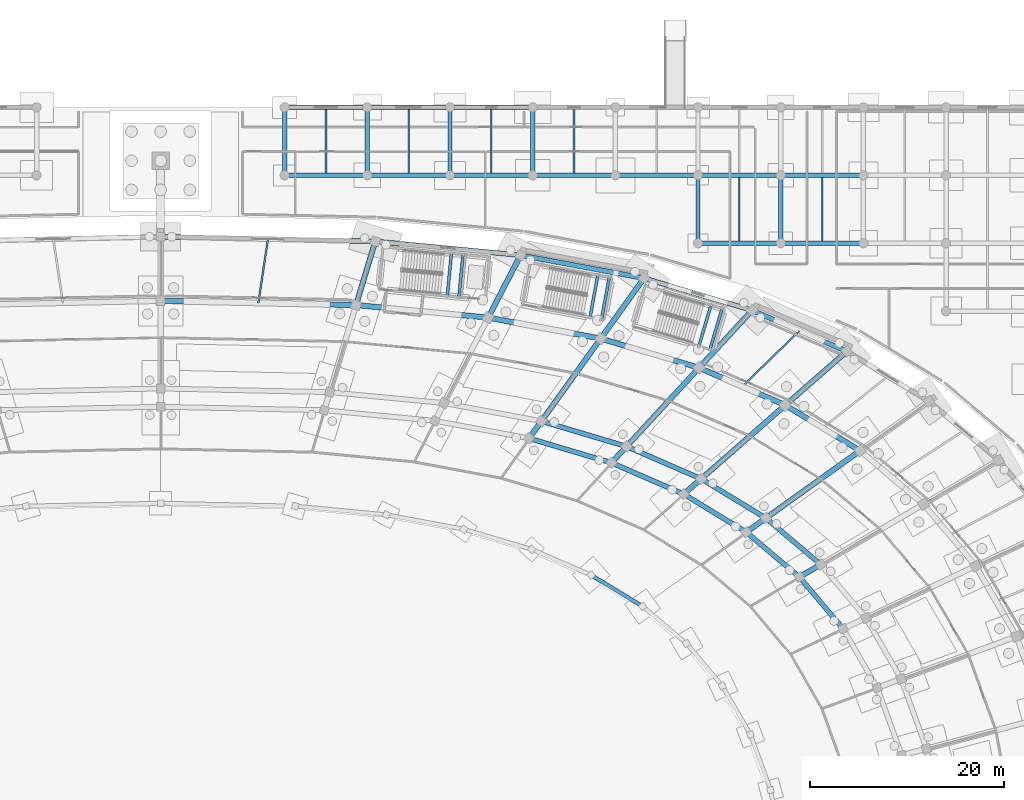
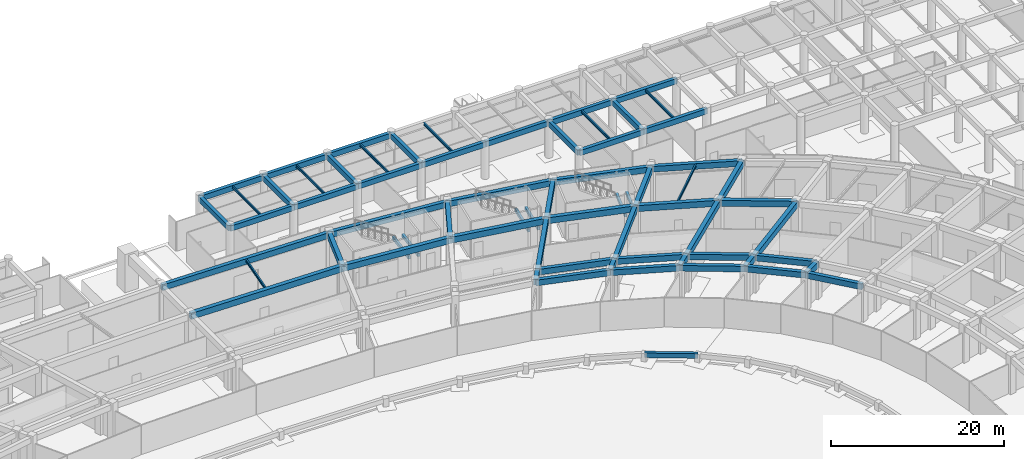
# One storey, part 36 of 88: 67 beams.
"""IFC4 building model written with IfcOpenShell, lengths in metres."""

from ifc_helpers import new_model, si_unit, direction, frame, origin, origin_2d, place, context, subcontext, project, spatial, rectangle, i_section, extrude, material, material_profile, profile_set, type_object, element, save


model = new_model("IFC4")

# Units and contexts
model_context = context("Model", 3, precision=1e-05, world=origin(), true_north=direction((0.0, 1.0)))
body_context = subcontext(model_context, "Body", "Model", "MODEL_VIEW")
ifc_project = project(units=[si_unit("LENGTHUNIT", "METRE"), si_unit("AREAUNIT", "SQUARE_METRE"), si_unit("VOLUMEUNIT", "CUBIC_METRE"), si_unit("PLANEANGLEUNIT", "RADIAN"), si_unit("MASSUNIT", "GRAM", prefix="KILO")], contexts=[model_context])

# Site, building, storey
site_placement = place(None, origin())
site = spatial("IfcSite", under=ifc_project, at=site_placement, CompositionType="ELEMENT")
building_placement = place(site_placement, origin())
building = spatial("IfcBuilding", under=site, at=building_placement, Name="Mphavela Belvedere Stadium", CompositionType="ELEMENT")
storey_placement = place(building_placement, origin())
storey = spatial("IfcBuildingStorey", under=building, at=storey_placement, Name="L00", CompositionType="ELEMENT", Elevation=0.0)

# Beams
ifc_material_1 = material(Name="Steel S355", Category="steel")
ifc_material_profile_1 = material_profile(ifc_material_1, i_section(OverallWidth=0.169921875, OverallDepth=0.360107421875, WebThickness=0.008056640625, FlangeThickness=0.0126953125, at=origin_2d()), Name="IPE 360")
ifc_profile_set_1 = profile_set([ifc_material_profile_1], Name="Steel S355")
beam_type_1 = type_object("IfcBeamType", Name="BM-JOIST-IPE360", PredefinedType="JOIST", material=ifc_profile_set_1)
for number, where, z_axis, x_axis, name in (
    (1, (132.037109375, 167.22509765625, 4.9599609375), (0.0, 1.0, 0.0), (-1.0, 0.0, 0.0), "North Mast and Ceremonial End Forecourt secondary joist L00 16-7"),
    (2, (140.555419921875, 167.22509765625, 4.9599609375), (0.0, 1.0, 0.0), (-1.0, 0.0, 0.0), "North Mast and Ceremonial End Forecourt secondary joist L00 17-7"),
    (3, (149.073974609375, 167.22509765625, 4.9599609375), (0.0, 1.0, 0.0), (-1.0, 0.0, 0.0), "North Mast and Ceremonial End Forecourt secondary joist L00 18-7"),
    (4, (157.592529296875, 167.22509765625, 4.9599609375), (0.0, 1.0, 0.0), (-1.0, 0.0, 0.0), "North Mast and Ceremonial End Forecourt secondary joist L00 19-7"),
    (5, (174.62939453125, 160.22509765625, 4.9599609375), (0.0, 1.0, 0.0), (-1.0, 0.0, 0.0), "North Mast and Ceremonial End Forecourt secondary joist L00 21-6"),
    (6, (183.14794921875, 160.22509765625, 4.9599609375), (0.0, 1.0, 0.0), (-1.0, 0.0, 0.0), "North Mast and Ceremonial End Forecourt secondary joist L00 22-6"),
):
    element("IfcBeam", number, at=place(storey_placement, frame(where, z_axis=z_axis, x_axis=x_axis)), inside=storey, type_object=beam_type_1, Name=name, PredefinedType="JOIST", context=body_context, shape_type="SweptSolid", body=[
        extrude(i_section(OverallWidth=0.169921875, OverallDepth=0.360107421875, WebThickness=0.008056640625, FlangeThickness=0.0126953125, at=origin_2d()), origin(), (0.0, 0.0, 1.0), 6.5498046875),
    ])
ifc_material_2 = material(Name="Steel S355", Category="steel")
ifc_material_profile_2 = material_profile(ifc_material_2, i_section(OverallWidth=0.179931640625, OverallDepth=0.39990234375, WebThickness=0.008544921875, FlangeThickness=0.013427734375, at=origin_2d()), Name="IPE 400")
ifc_profile_set_2 = profile_set([ifc_material_profile_2], Name="Steel S355")
beam_type_2 = type_object("IfcBeamType", Name="BM-JOIST-IPE400", PredefinedType="JOIST", material=ifc_profile_set_2)
beam_1_placement = place(storey_placement, frame((174.918212890625, 145.242431640625, 4.949951171875), z_axis=(0.717067022089, 0.697004222249, 0.0), x_axis=(-0.697004222249, 0.717067022089, 0.0)))
element("IfcBeam", 7, at=beam_1_placement, inside=storey, type_object=beam_type_2, Name="Concourse floor joist L00-08", PredefinedType="JOIST", context=body_context, shape_type="SweptSolid", body=[
    extrude(i_section(OverallWidth=0.179931640625, OverallDepth=0.39990234375, WebThickness=0.008544921875, FlangeThickness=0.013427734375, at=origin_2d()), origin(), (0.0, 0.0, 1.0), 8.22607421875),
])
beam_2_placement = place(storey_placement, frame((125.06640625, 153.850830078125, 4.949951171875), z_axis=(0.148900105887, 0.98885224299, 0.0), x_axis=(-0.98885224299, 0.148900105887, 0.0)))
element("IfcBeam", 8, at=beam_2_placement, inside=storey, type_object=beam_type_2, Name="Concourse floor joist L00-12", PredefinedType="JOIST", context=body_context, shape_type="SweptSolid", body=[
    extrude(i_section(OverallWidth=0.179931640625, OverallDepth=0.39990234375, WebThickness=0.008544921875, FlangeThickness=0.013427734375, at=origin_2d()), origin(), (0.0, 0.0, 1.0), 6.6552734375),
])
ifc_material_3 = material(Name="Concrete C40/50", Category="concrete")
ifc_material_profile_3 = material_profile(ifc_material_3, rectangle(XDim=0.300048828125, YDim=0.449951171875, at=origin_2d()), Name="RC 300x450")
ifc_profile_set_3 = profile_set([ifc_material_profile_3], Name="Concrete C40/50")
beam_type_3 = type_object("IfcBeamType", Name="BM-RC300x450", PredefinedType="BEAM", material=ifc_profile_set_3)
beam_3_placement = place(storey_placement, frame((144.53515625, 154.541259765625, 2.27490234375), z_axis=(0.094981784239, 0.995479010659, 0.0), x_axis=(-0.995479010659, 0.094981784239, 0.0)))
element("IfcBeam", 9, at=beam_3_placement, inside=storey, type_object=beam_type_3, Name="Core C03 landing trimmer beam L00-1", PredefinedType="BEAM", context=body_context, shape_type="SweptSolid", body=[
    extrude(rectangle(XDim=0.300048828125, YDim=0.449951171875, at=origin_2d()), origin(), (0.0, 0.0, 1.0), 4.469970703125),
])
for number, where, z_axis, x_axis, name in (
    (10, (145.729736328125, 154.42724609375, 2.27490234375), (0.094976620198, 0.995479503363, 0.0), (-0.995479503363, 0.094976620198, 0.0), "Core C03 landing trimmer beam L00-2"),
    (11, (170.44189453125, 149.372802734375, 2.27490234375), (0.28454574359, 0.95866246396, 0.0), (-0.95866246396, 0.28454574359, 0.0), "Core P01 landing trimmer beam L00-1"),
):
    element("IfcBeam", number, at=place(storey_placement, frame(where, z_axis=z_axis, x_axis=x_axis)), inside=storey, type_object=beam_type_3, Name=name, PredefinedType="BEAM", context=body_context, shape_type="SweptSolid", body=[
        extrude(rectangle(XDim=0.300048828125, YDim=0.449951171875, at=origin_2d()), origin(), (0.0, 0.0, 1.0), 4.47021484375),
    ])
for number, where, z_axis, x_axis, name in (
    (12, (171.59228515625, 149.031494140625, 2.27490234375), (0.28456064248, 0.958658041614, 0.0), (-0.958658041614, 0.28456064248, 0.0), "Core P01 landing trimmer beam L00-2"),
    (13, (159.233154296875, 152.34033203125, 2.27490234375), (0.183137493709, 0.983087309652, 0.0), (-0.983087309652, 0.183137493709, 0.0), "Core P02 landing trimmer beam L00-1"),
):
    element("IfcBeam", number, at=place(storey_placement, frame(where, z_axis=z_axis, x_axis=x_axis)), inside=storey, type_object=beam_type_3, Name=name, PredefinedType="BEAM", context=body_context, shape_type="SweptSolid", body=[
        extrude(rectangle(XDim=0.300048828125, YDim=0.449951171875, at=origin_2d()), origin(), (0.0, 0.0, 1.0), 4.469970703125),
    ])
beam_4_placement = place(storey_placement, frame((160.4130859375, 152.12060546875, 2.27490234375), z_axis=(0.183084705806, 0.983097141945, 0.0), x_axis=(-0.983097141945, 0.183084705806, 0.0)))
element("IfcBeam", 14, at=beam_4_placement, inside=storey, type_object=beam_type_3, Name="Core P02 landing trimmer beam L00-2", PredefinedType="BEAM", context=body_context, shape_type="SweptSolid", body=[
    extrude(rectangle(XDim=0.300048828125, YDim=0.449951171875, at=origin_2d()), origin(), (0.0, 0.0, 1.0), 4.4697265625),
])
ifc_material_4 = material(Name="Concrete C40/50", Category="concrete")
ifc_material_profile_4 = material_profile(ifc_material_4, rectangle(XDim=0.39990234375, YDim=0.64990234375, at=origin_2d()), Name="RC 400x650")
ifc_profile_set_4 = profile_set([ifc_material_profile_4], Name="Concrete C40/50")
beam_type_4 = type_object("IfcBeamType", Name="BM-RC400x650", PredefinedType="BEAM", material=ifc_profile_set_4)
beam_5_placement = place(storey_placement, frame((164.658935546875, 122.580322265625, 0.824951171875), z_axis=(-0.854317681937, 0.519751188868, 0.0), x_axis=(-0.519751188868, -0.854317681937, 0.0)))
element("IfcBeam", 15, at=beam_5_placement, inside=storey, type_object=beam_type_4, Name="Lower tier plinth ring beam 07", PredefinedType="BEAM", context=body_context, shape_type="SweptSolid", body=[
    extrude(rectangle(XDim=0.39990234375, YDim=0.64990234375, at=origin_2d()), origin(), (0.0, 0.0, 1.0), 6.212158203125),
])
ifc_material_5 = material(Name="Concrete C40/50", Category="concrete")
ifc_material_profile_5 = material_profile(ifc_material_5, rectangle(XDim=0.449951171875, YDim=0.75, at=origin_2d()), Name="RC 450x750")
ifc_profile_set_5 = profile_set([ifc_material_profile_5], Name="Concrete C40/50")
beam_type_5 = type_object("IfcBeamType", Name="BM-RC450x750", PredefinedType="BEAM", material=ifc_profile_set_5)
beam_6_placement = place(storey_placement, frame((127.778076171875, 167.0, 4.764892578125), z_axis=(1.0, 0.0, 0.0), x_axis=(0.0, 1.0, 0.0)))
element("IfcBeam", 16, at=beam_6_placement, inside=storey, type_object=beam_type_5, Name="North Mast and Ceremonial End Forecourt entablature beam X L00 16-7", PredefinedType="BEAM", context=body_context, shape_type="SweptSolid", body=[
    extrude(rectangle(XDim=0.449951171875, YDim=0.75, at=origin_2d()), origin(), (0.0, 0.0, 1.0), 8.517822265625),
])
beam_7_placement = place(storey_placement, frame((127.778076171875, 167.0, 4.764892578125), z_axis=(0.0, 1.0, 0.0), x_axis=(-1.0, 0.0, 0.0)))
element("IfcBeam", 17, at=beam_7_placement, inside=storey, type_object=beam_type_5, Name="North Mast and Ceremonial End Forecourt entablature beam Y L00 16-7", PredefinedType="BEAM", context=body_context, shape_type="SweptSolid", body=[
    extrude(rectangle(XDim=0.449951171875, YDim=0.75, at=origin_2d()), origin(), (0.0, 0.0, 1.0), 7.0),
])
beam_8_placement = place(storey_placement, frame((127.778076171875, 174.0, 4.764892578125), z_axis=(1.0, 0.0, 0.0), x_axis=(0.0, 1.0, 0.0)))
element("IfcBeam", 18, at=beam_8_placement, inside=storey, type_object=beam_type_5, Name="North Mast and Ceremonial End Forecourt entablature beam X L00 16-8", PredefinedType="BEAM", context=body_context, shape_type="SweptSolid", body=[
    extrude(rectangle(XDim=0.449951171875, YDim=0.75, at=origin_2d()), origin(), (0.0, 0.0, 1.0), 8.517822265625),
])
beam_9_placement = place(storey_placement, frame((136.2958984375, 167.0, 4.764892578125), z_axis=(1.0, 0.0, 0.0), x_axis=(0.0, 1.0, 0.0)))
element("IfcBeam", 19, at=beam_9_placement, inside=storey, type_object=beam_type_5, Name="North Mast and Ceremonial End Forecourt entablature beam X L00 17-7", PredefinedType="BEAM", context=body_context, shape_type="SweptSolid", body=[
    extrude(rectangle(XDim=0.449951171875, YDim=0.75, at=origin_2d()), origin(), (0.0, 0.0, 1.0), 8.51904296875),
])
beam_10_placement = place(storey_placement, frame((136.2958984375, 167.0, 4.764892578125), z_axis=(0.0, 1.0, 0.0), x_axis=(-1.0, 0.0, 0.0)))
element("IfcBeam", 20, at=beam_10_placement, inside=storey, type_object=beam_type_5, Name="North Mast and Ceremonial End Forecourt entablature beam Y L00 17-7", PredefinedType="BEAM", context=body_context, shape_type="SweptSolid", body=[
    extrude(rectangle(XDim=0.449951171875, YDim=0.75, at=origin_2d()), origin(), (0.0, 0.0, 1.0), 7.0),
])
beam_11_placement = place(storey_placement, frame((136.2958984375, 174.0, 4.764892578125), z_axis=(1.0, 0.0, 0.0), x_axis=(0.0, 1.0, 0.0)))
element("IfcBeam", 21, at=beam_11_placement, inside=storey, type_object=beam_type_5, Name="North Mast and Ceremonial End Forecourt entablature beam X L00 17-8", PredefinedType="BEAM", context=body_context, shape_type="SweptSolid", body=[
    extrude(rectangle(XDim=0.449951171875, YDim=0.75, at=origin_2d()), origin(), (0.0, 0.0, 1.0), 8.51904296875),
])
beam_12_placement = place(storey_placement, frame((144.81494140625, 167.0, 4.764892578125), z_axis=(1.0, 0.0, 0.0), x_axis=(0.0, 1.0, 0.0)))
element("IfcBeam", 22, at=beam_12_placement, inside=storey, type_object=beam_type_5, Name="North Mast and Ceremonial End Forecourt entablature beam X L00 18-7", PredefinedType="BEAM", context=body_context, shape_type="SweptSolid", body=[
    extrude(rectangle(XDim=0.449951171875, YDim=0.75, at=origin_2d()), origin(), (0.0, 0.0, 1.0), 8.51806640625),
])
beam_13_placement = place(storey_placement, frame((144.81494140625, 167.0, 4.764892578125), z_axis=(0.0, 1.0, 0.0), x_axis=(-1.0, 0.0, 0.0)))
element("IfcBeam", 23, at=beam_13_placement, inside=storey, type_object=beam_type_5, Name="North Mast and Ceremonial End Forecourt entablature beam Y L00 18-7", PredefinedType="BEAM", context=body_context, shape_type="SweptSolid", body=[
    extrude(rectangle(XDim=0.449951171875, YDim=0.75, at=origin_2d()), origin(), (0.0, 0.0, 1.0), 7.0),
])
beam_14_placement = place(storey_placement, frame((144.81494140625, 174.0, 4.764892578125), z_axis=(1.0, 0.0, 0.0), x_axis=(0.0, 1.0, 0.0)))
element("IfcBeam", 24, at=beam_14_placement, inside=storey, type_object=beam_type_5, Name="North Mast and Ceremonial End Forecourt entablature beam X L00 18-8", PredefinedType="BEAM", context=body_context, shape_type="SweptSolid", body=[
    extrude(rectangle(XDim=0.449951171875, YDim=0.75, at=origin_2d()), origin(), (0.0, 0.0, 1.0), 8.51806640625),
])
beam_15_placement = place(storey_placement, frame((153.3330078125, 167.0, 4.764892578125), z_axis=(1.0, 0.0, 0.0), x_axis=(0.0, 1.0, 0.0)))
element("IfcBeam", 25, at=beam_15_placement, inside=storey, type_object=beam_type_5, Name="North Mast and Ceremonial End Forecourt entablature beam X L00 19-7", PredefinedType="BEAM", context=body_context, shape_type="SweptSolid", body=[
    extrude(rectangle(XDim=0.449951171875, YDim=0.75, at=origin_2d()), origin(), (0.0, 0.0, 1.0), 8.51904296875),
])
beam_16_placement = place(storey_placement, frame((153.3330078125, 167.0, 4.764892578125), z_axis=(0.0, 1.0, 0.0), x_axis=(-1.0, 0.0, 0.0)))
element("IfcBeam", 26, at=beam_16_placement, inside=storey, type_object=beam_type_5, Name="North Mast and Ceremonial End Forecourt entablature beam Y L00 19-7", PredefinedType="BEAM", context=body_context, shape_type="SweptSolid", body=[
    extrude(rectangle(XDim=0.449951171875, YDim=0.75, at=origin_2d()), origin(), (0.0, 0.0, 1.0), 7.0),
])
beam_17_placement = place(storey_placement, frame((161.85205078125, 167.0, 4.764892578125), z_axis=(1.0, 0.0, 0.0), x_axis=(0.0, 1.0, 0.0)))
element("IfcBeam", 27, at=beam_17_placement, inside=storey, type_object=beam_type_5, Name="North Mast and Ceremonial End Forecourt entablature beam X L00 20-7", PredefinedType="BEAM", context=body_context, shape_type="SweptSolid", body=[
    extrude(rectangle(XDim=0.449951171875, YDim=0.75, at=origin_2d()), origin(), (0.0, 0.0, 1.0), 8.51806640625),
])
beam_18_placement = place(storey_placement, frame((170.3701171875, 160.0, 4.764892578125), z_axis=(1.0, 0.0, 0.0), x_axis=(0.0, 1.0, 0.0)))
element("IfcBeam", 28, at=beam_18_placement, inside=storey, type_object=beam_type_5, Name="North Mast and Ceremonial End Forecourt entablature beam X L00 21-6", PredefinedType="BEAM", context=body_context, shape_type="SweptSolid", body=[
    extrude(rectangle(XDim=0.449951171875, YDim=0.75, at=origin_2d()), origin(), (0.0, 0.0, 1.0), 8.518798828125),
])
beam_19_placement = place(storey_placement, frame((170.3701171875, 160.0, 4.764892578125), z_axis=(0.0, 1.0, 0.0), x_axis=(-1.0, 0.0, 0.0)))
element("IfcBeam", 29, at=beam_19_placement, inside=storey, type_object=beam_type_5, Name="North Mast and Ceremonial End Forecourt entablature beam Y L00 21-6", PredefinedType="BEAM", context=body_context, shape_type="SweptSolid", body=[
    extrude(rectangle(XDim=0.449951171875, YDim=0.75, at=origin_2d()), origin(), (0.0, 0.0, 1.0), 7.0),
])
beam_20_placement = place(storey_placement, frame((170.3701171875, 167.0, 4.764892578125), z_axis=(1.0, 0.0, 0.0), x_axis=(0.0, 1.0, 0.0)))
element("IfcBeam", 30, at=beam_20_placement, inside=storey, type_object=beam_type_5, Name="North Mast and Ceremonial End Forecourt entablature beam X L00 21-7", PredefinedType="BEAM", context=body_context, shape_type="SweptSolid", body=[
    extrude(rectangle(XDim=0.449951171875, YDim=0.75, at=origin_2d()), origin(), (0.0, 0.0, 1.0), 8.518798828125),
])
beam_21_placement = place(storey_placement, frame((178.888916015625, 160.0, 4.764892578125), z_axis=(1.0, 0.0, 0.0), x_axis=(0.0, 1.0, 0.0)))
element("IfcBeam", 31, at=beam_21_placement, inside=storey, type_object=beam_type_5, Name="North Mast and Ceremonial End Forecourt entablature beam X L00 22-6", PredefinedType="BEAM", context=body_context, shape_type="SweptSolid", body=[
    extrude(rectangle(XDim=0.449951171875, YDim=0.75, at=origin_2d()), origin(), (0.0, 0.0, 1.0), 8.51806640625),
])
beam_22_placement = place(storey_placement, frame((178.888916015625, 160.0, 4.764892578125), z_axis=(0.0, 1.0, 0.0), x_axis=(-1.0, 0.0, 0.0)))
element("IfcBeam", 32, at=beam_22_placement, inside=storey, type_object=beam_type_5, Name="North Mast and Ceremonial End Forecourt entablature beam Y L00 22-6", PredefinedType="BEAM", context=body_context, shape_type="SweptSolid", body=[
    extrude(rectangle(XDim=0.449951171875, YDim=0.75, at=origin_2d()), origin(), (0.0, 0.0, 1.0), 7.0),
])
beam_23_placement = place(storey_placement, frame((178.888916015625, 167.0, 4.764892578125), z_axis=(1.0, 0.0, 0.0), x_axis=(0.0, 1.0, 0.0)))
element("IfcBeam", 33, at=beam_23_placement, inside=storey, type_object=beam_type_5, Name="North Mast and Ceremonial End Forecourt entablature beam X L00 22-7", PredefinedType="BEAM", context=body_context, shape_type="SweptSolid", body=[
    extrude(rectangle(XDim=0.449951171875, YDim=0.75, at=origin_2d()), origin(), (0.0, 0.0, 1.0), 8.51806640625),
])
ifc_material_6 = material(Name="Concrete C40/50", Category="concrete")
ifc_material_profile_6 = material_profile(ifc_material_6, rectangle(XDim=0.5, YDim=0.800048828125, at=origin_2d()), Name="RC 500x800")
ifc_profile_set_6 = profile_set([ifc_material_profile_6], Name="Concrete C40/50")
beam_type_6 = type_object("IfcBeamType", Name="BM-RC500x800", PredefinedType="BEAM", material=ifc_profile_set_6)
beam_24_placement = place(storey_placement, frame((185.31298828125, 120.281494140625, 4.75), z_axis=(-0.645159025586, 0.764048317651, 0.0), x_axis=(-0.764048317651, -0.645159025586, 0.0)))
element("IfcBeam", 34, at=beam_24_placement, inside=storey, type_object=beam_type_6, Name="Circumferential girder L00 R1-05", PredefinedType="BEAM", context=body_context, shape_type="SweptSolid", body=[
    extrude(rectangle(XDim=0.5, YDim=0.800048828125, at=origin_2d()), origin(), (0.0, 0.0, 1.0), 6.975830078125),
])
beam_25_placement = place(storey_placement, frame((180.8125, 125.611328125, 4.75), z_axis=(-0.76425683958, 0.644911996442, 0.0), x_axis=(-0.644911996442, -0.76425683958, 0.0)))
element("IfcBeam", 35, at=beam_25_placement, inside=storey, type_object=beam_type_6, Name="Circumferential girder L00 R1-06", PredefinedType="BEAM", context=body_context, shape_type="SweptSolid", body=[
    extrude(rectangle(XDim=0.5, YDim=0.800048828125, at=origin_2d()), origin(), (0.0, 0.0, 1.0), 7.1640625),
])
beam_26_placement = place(storey_placement, frame((183.01171875, 126.901611328125, 4.75), z_axis=(-0.764257451296, 0.644911271523, 0.0), x_axis=(-0.644911271523, -0.764257451296, 0.0)))
element("IfcBeam", 36, at=beam_26_placement, inside=storey, type_object=beam_type_6, Name="Circumferential girder L00 R2-06", PredefinedType="BEAM", context=body_context, shape_type="SweptSolid", body=[
    extrude(rectangle(XDim=0.5, YDim=0.800048828125, at=origin_2d()), origin(), (0.0, 0.0, 1.0), 7.4033203125),
])
beam_27_placement = place(storey_placement, frame((175.33740234375, 130.2314453125, 4.75), z_axis=(-0.854325951403, 0.51973759606, 0.0), x_axis=(-0.51973759606, -0.854325951403, 0.0)))
element("IfcBeam", 37, at=beam_27_placement, inside=storey, type_object=beam_type_6, Name="Circumferential girder L00 R1-07", PredefinedType="BEAM", context=body_context, shape_type="SweptSolid", body=[
    extrude(rectangle(XDim=0.5, YDim=0.800048828125, at=origin_2d()), origin(), (0.0, 0.0, 1.0), 7.5478515625),
])
beam_28_placement = place(storey_placement, frame((177.353759765625, 131.676025390625, 4.75), z_axis=(-0.854328477138, 0.519733444326, 0.0), x_axis=(-0.519733444326, -0.854328477138, 0.0)))
element("IfcBeam", 38, at=beam_28_placement, inside=storey, type_object=beam_type_6, Name="Circumferential girder L00 R2-07", PredefinedType="BEAM", context=body_context, shape_type="SweptSolid", body=[
    extrude(rectangle(XDim=0.5, YDim=0.800048828125, at=origin_2d()), origin(), (0.0, 0.0, 1.0), 7.800048828125),
])
beam_29_placement = place(storey_placement, frame((168.88916015625, 134.154296875, 4.75), z_axis=(-0.917503251148, 0.397728279273, 0.0), x_axis=(-0.397728279273, -0.917503251148, 0.0)))
element("IfcBeam", 39, at=beam_29_placement, inside=storey, type_object=beam_type_6, Name="Circumferential girder L00 R1-08", PredefinedType="BEAM", context=body_context, shape_type="SweptSolid", body=[
    extrude(rectangle(XDim=0.5, YDim=0.800048828125, at=origin_2d()), origin(), (0.0, 0.0, 1.0), 8.107666015625),
])
beam_30_placement = place(storey_placement, frame((170.68994140625, 135.72998046875, 4.75), z_axis=(-0.917495728928, 0.397745631526, 0.0), x_axis=(-0.397745631526, -0.917495728928, 0.0)))
element("IfcBeam", 40, at=beam_30_placement, inside=storey, type_object=beam_type_6, Name="Circumferential girder L00 R2-08", PredefinedType="BEAM", context=body_context, shape_type="SweptSolid", body=[
    extrude(rectangle(XDim=0.5, YDim=0.800048828125, at=origin_2d()), origin(), (0.0, 0.0, 1.0), 8.37841796875),
])
beam_31_placement = place(storey_placement, frame((161.450439453125, 137.37890625, 4.75), z_axis=(-0.958656973737, 0.284564240033, 0.0), x_axis=(-0.284564240033, -0.958656973737, 0.0)))
element("IfcBeam", 41, at=beam_31_placement, inside=storey, type_object=beam_type_6, Name="Circumferential girder L00 R1-09", PredefinedType="BEAM", context=body_context, shape_type="SweptSolid", body=[
    extrude(rectangle(XDim=0.5, YDim=0.800048828125, at=origin_2d()), origin(), (0.0, 0.0, 1.0), 8.854736328125),
])
beam_32_placement = place(storey_placement, frame((163.002685546875, 139.0625, 4.75), z_axis=(-0.958656419443, 0.284566107363, 0.0), x_axis=(-0.284566107363, -0.958656419443, 0.0)))
element("IfcBeam", 42, at=beam_32_placement, inside=storey, type_object=beam_type_6, Name="Circumferential girder L00 R2-09", PredefinedType="BEAM", context=body_context, shape_type="SweptSolid", body=[
    extrude(rectangle(XDim=0.5, YDim=0.800048828125, at=origin_2d()), origin(), (0.0, 0.0, 1.0), 9.15087890625),
])
ifc_material_7 = material(Name="Concrete C40/50", Category="concrete")
ifc_material_profile_7 = material_profile(ifc_material_7, rectangle(XDim=0.550048828125, YDim=0.85009765625, at=origin_2d()), Name="RC 550x850")
ifc_profile_set_7 = profile_set([ifc_material_profile_7], Name="Concrete C40/50")
beam_type_7 = type_object("IfcBeamType", Name="BM-RC550x850", PredefinedType="BEAM", material=ifc_profile_set_7)
beam_33_placement = place(storey_placement, frame((180.8125, 125.611328125, 4.72509765625), z_axis=(0.862512089915, 0.50603645595, 0.0), x_axis=(-0.50603645595, 0.862512089915, 0.0)))
element("IfcBeam", 43, at=beam_33_placement, inside=storey, type_object=beam_type_7, Name="Radial concourse girder L00 R1R2-06", PredefinedType="BEAM", context=body_context, shape_type="SweptSolid", body=[
    extrude(rectangle(XDim=0.550048828125, YDim=0.85009765625, at=origin_2d()), origin(), (0.0, 0.0, 1.0), 2.5498046875),
])
beam_34_placement = place(storey_placement, frame((187.061279296875, 138.631591796875, 4.72509765625), z_axis=(-0.854315160357, 0.519755333579, 0.0), x_axis=(-0.519755333579, -0.854315160357, 0.0)))
element("IfcBeam", 44, at=beam_34_placement, inside=storey, type_object=beam_type_7, Name="Circumferential girder L00 R3-07", PredefinedType="BEAM", context=body_context, shape_type="SweptSolid", body=[
    extrude(rectangle(XDim=0.550048828125, YDim=0.85009765625, at=origin_2d()), origin(), (0.0, 0.0, 1.0), 9.014404296875),
])
beam_35_placement = place(storey_placement, frame((175.33740234375, 130.2314453125, 4.72509765625), z_axis=(0.81290799415, 0.582392129966, 0.0), x_axis=(-0.582392129966, 0.81290799415, 0.0)))
element("IfcBeam", 45, at=beam_35_placement, inside=storey, type_object=beam_type_7, Name="Radial concourse girder L00 R1R2-07", PredefinedType="BEAM", context=body_context, shape_type="SweptSolid", body=[
    extrude(rectangle(XDim=0.550048828125, YDim=0.85009765625, at=origin_2d()), origin(), (0.0, 0.0, 1.0), 2.48046875),
])
beam_36_placement = place(storey_placement, frame((177.353759765625, 131.676025390625, 4.72509765625), z_axis=(0.812876169184, 0.582436548967, 0.0), x_axis=(-0.582436548967, 0.812876169184, 0.0)))
element("IfcBeam", 46, at=beam_36_placement, inside=storey, type_object=beam_type_7, Name="Radial concourse girder L00 R2R3-07", PredefinedType="BEAM", context=body_context, shape_type="SweptSolid", body=[
    extrude(rectangle(XDim=0.550048828125, YDim=0.85009765625, at=origin_2d()), origin(), (0.0, 0.0, 1.0), 11.942138671875),
])
beam_37_placement = place(storey_placement, frame((179.360107421875, 143.31689453125, 4.72509765625), z_axis=(-0.917501650019, 0.397731972832, 0.0), x_axis=(-0.397731972832, -0.917501650019, 0.0)))
element("IfcBeam", 47, at=beam_37_placement, inside=storey, type_object=beam_type_7, Name="Circumferential girder L00 R3-08", PredefinedType="BEAM", context=body_context, shape_type="SweptSolid", body=[
    extrude(rectangle(XDim=0.550048828125, YDim=0.85009765625, at=origin_2d()), origin(), (0.0, 0.0, 1.0), 9.6826171875),
])
beam_38_placement = place(storey_placement, frame((168.88916015625, 134.154296875, 4.72509765625), z_axis=(0.752576694707, 0.658504607869, 0.0), x_axis=(-0.658504607869, 0.752576694707, 0.0)))
element("IfcBeam", 48, at=beam_38_placement, inside=storey, type_object=beam_type_7, Name="Radial concourse girder L00 R1R2-08", PredefinedType="BEAM", context=body_context, shape_type="SweptSolid", body=[
    extrude(rectangle(XDim=0.550048828125, YDim=0.85009765625, at=origin_2d()), origin(), (0.0, 0.0, 1.0), 2.392822265625),
])
beam_39_placement = place(storey_placement, frame((170.68994140625, 135.72998046875, 4.72509765625), z_axis=(0.752554378136, 0.658530111648, 0.0), x_axis=(-0.658530111648, 0.752554378136, 0.0)))
element("IfcBeam", 49, at=beam_39_placement, inside=storey, type_object=beam_type_7, Name="Radial concourse girder L00 R2R3-08", PredefinedType="BEAM", context=body_context, shape_type="SweptSolid", body=[
    extrude(rectangle(XDim=0.550048828125, YDim=0.85009765625, at=origin_2d()), origin(), (0.0, 0.0, 1.0), 11.52099609375),
])
beam_40_placement = place(storey_placement, frame((179.360107421875, 143.31689453125, 4.72509765625), z_axis=(0.752589268993, 0.658490236978, 0.0), x_axis=(-0.658490236978, 0.752589268993, 0.0)))
element("IfcBeam", 50, at=beam_40_placement, inside=storey, type_object=beam_type_7, Name="Radial concourse girder L00 R3R4-08", PredefinedType="BEAM", context=body_context, shape_type="SweptSolid", body=[
    extrude(rectangle(XDim=0.550048828125, YDim=0.85009765625, at=origin_2d()), origin(), (0.0, 0.0, 1.0), 8.419189453125),
])
beam_41_placement = place(storey_placement, frame((170.476318359375, 147.16796875, 4.72509765625), z_axis=(-0.958655230784, 0.284570111731, 0.0), x_axis=(-0.284570111731, -0.958655230784, 0.0)))
element("IfcBeam", 51, at=beam_41_placement, inside=storey, type_object=beam_type_7, Name="Circumferential girder L00 R3-09", PredefinedType="BEAM", context=body_context, shape_type="SweptSolid", body=[
    extrude(rectangle(XDim=0.550048828125, YDim=0.85009765625, at=origin_2d()), origin(), (0.0, 0.0, 1.0), 10.57568359375),
])
beam_42_placement = place(storey_placement, frame((161.450439453125, 137.37890625, 4.72509765625), z_axis=(0.677846038514, 0.735203881975, 0.0), x_axis=(-0.735203881975, 0.677846038514, 0.0)))
element("IfcBeam", 52, at=beam_42_placement, inside=storey, type_object=beam_type_7, Name="Radial concourse girder L00 R1R2-09", PredefinedType="BEAM", context=body_context, shape_type="SweptSolid", body=[
    extrude(rectangle(XDim=0.550048828125, YDim=0.85009765625, at=origin_2d()), origin(), (0.0, 0.0, 1.0), 2.2900390625),
])
beam_43_placement = place(storey_placement, frame((163.002685546875, 139.0625, 4.72509765625), z_axis=(0.677871643116, 0.735180274123, 0.0), x_axis=(-0.735180274123, 0.677871643116, 0.0)))
element("IfcBeam", 53, at=beam_43_placement, inside=storey, type_object=beam_type_7, Name="Radial concourse girder L00 R2R3-09", PredefinedType="BEAM", context=body_context, shape_type="SweptSolid", body=[
    extrude(rectangle(XDim=0.550048828125, YDim=0.85009765625, at=origin_2d()), origin(), (0.0, 0.0, 1.0), 11.025146484375),
])
beam_44_placement = place(storey_placement, frame((170.476318359375, 147.16796875, 4.72509765625), z_axis=(0.67784325477, 0.735206448532, 0.0), x_axis=(-0.735206448532, 0.67784325477, 0.0)))
element("IfcBeam", 54, at=beam_44_placement, inside=storey, type_object=beam_type_7, Name="Radial concourse girder L00 R3R4-09", PredefinedType="BEAM", context=body_context, shape_type="SweptSolid", body=[
    extrude(rectangle(XDim=0.550048828125, YDim=0.85009765625, at=origin_2d()), origin(), (0.0, 0.0, 1.0), 8.056640625),
])
beam_45_placement = place(storey_placement, frame((160.337890625, 150.177490234375, 4.72509765625), z_axis=(-0.983097725009, 0.18308157494, 0.0), x_axis=(-0.18308157494, -0.983097725009, 0.0)))
element("IfcBeam", 55, at=beam_45_placement, inside=storey, type_object=beam_type_7, Name="Circumferential girder L00 R3-10", PredefinedType="BEAM", context=body_context, shape_type="SweptSolid", body=[
    extrude(rectangle(XDim=0.550048828125, YDim=0.85009765625, at=origin_2d()), origin(), (0.0, 0.0, 1.0), 11.786865234375),
])
beam_46_placement = place(storey_placement, frame((152.961669921875, 139.898681640625, 4.72509765625), z_axis=(0.583009326667, 0.812465460816, 0.0), x_axis=(-0.812465460816, 0.583009326667, 0.0)))
element("IfcBeam", 56, at=beam_46_placement, inside=storey, type_object=beam_type_7, Name="Radial concourse girder L00 R1R2-10", PredefinedType="BEAM", context=body_context, shape_type="SweptSolid", body=[
    extrude(rectangle(XDim=0.550048828125, YDim=0.85009765625, at=origin_2d()), origin(), (0.0, 0.0, 1.0), 2.17578125),
])
beam_47_placement = place(storey_placement, frame((154.230224609375, 141.66650390625, 4.72509765625), z_axis=(0.583031296474, 0.812449695262, 0.0), x_axis=(-0.812449695262, 0.583031296474, 0.0)))
element("IfcBeam", 57, at=beam_47_placement, inside=storey, type_object=beam_type_7, Name="Radial concourse girder L00 R2R3-10", PredefinedType="BEAM", context=body_context, shape_type="SweptSolid", body=[
    extrude(rectangle(XDim=0.550048828125, YDim=0.85009765625, at=origin_2d()), origin(), (0.0, 0.0, 1.0), 10.475830078125),
])
beam_48_placement = place(storey_placement, frame((160.337890625, 150.177490234375, 4.72509765625), z_axis=(0.583043812448, 0.812440713385, 0.0), x_axis=(-0.812440713385, 0.583043812448, 0.0)))
element("IfcBeam", 58, at=beam_48_placement, inside=storey, type_object=beam_type_7, Name="Radial concourse girder L00 R3R4-10", PredefinedType="BEAM", context=body_context, shape_type="SweptSolid", body=[
    extrude(rectangle(XDim=0.550048828125, YDim=0.85009765625, at=origin_2d()), origin(), (0.0, 0.0, 1.0), 7.6552734375),
])
beam_49_placement = place(storey_placement, frame((148.750244140625, 152.33544921875, 4.72509765625), z_axis=(-0.995483834103, 0.094931217412, 0.0), x_axis=(-0.094931217412, -0.995483834103, 0.0)))
element("IfcBeam", 59, at=beam_49_placement, inside=storey, type_object=beam_type_7, Name="Circumferential girder L00 R3-11", PredefinedType="BEAM", context=body_context, shape_type="SweptSolid", body=[
    extrude(rectangle(XDim=0.550048828125, YDim=0.85009765625, at=origin_2d()), origin(), (0.0, 0.0, 1.0), 13.67919921875),
])
beam_50_placement = place(storey_placement, frame((148.750244140625, 152.33544921875, 4.72509765625), z_axis=(0.458951286165, 0.888461432436, 0.0), x_axis=(-0.888461432436, 0.458951286165, 0.0)))
element("IfcBeam", 60, at=beam_50_placement, inside=storey, type_object=beam_type_7, Name="Radial concourse girder L00 R3R4-11", PredefinedType="BEAM", context=body_context, shape_type="SweptSolid", body=[
    extrude(rectangle(XDim=0.550048828125, YDim=0.85009765625, at=origin_2d()), origin(), (0.0, 0.0, 1.0), 7.2392578125),
])
beam_51_placement = place(storey_placement, frame((135.1328125, 153.634033203125, 4.72509765625), z_axis=(-0.999768427465, 0.02151955955, 0.0), x_axis=(-0.02151955955, -0.999768427465, 0.0)))
element("IfcBeam", 61, at=beam_51_placement, inside=storey, type_object=beam_type_7, Name="Circumferential girder L00 R3-12", PredefinedType="BEAM", context=body_context, shape_type="SweptSolid", body=[
    extrude(rectangle(XDim=0.550048828125, YDim=0.85009765625, at=origin_2d()), origin(), (0.0, 0.0, 1.0), 20.137451171875),
])
beam_52_placement = place(storey_placement, frame((135.1328125, 153.634033203125, 4.72509765625), z_axis=(0.28918755919, 0.95727245631, 0.0), x_axis=(-0.95727245631, 0.28918755919, 0.0)))
element("IfcBeam", 62, at=beam_52_placement, inside=storey, type_object=beam_type_7, Name="Radial concourse girder L00 R3R4-12", PredefinedType="BEAM", context=body_context, shape_type="SweptSolid", body=[
    extrude(rectangle(XDim=0.550048828125, YDim=0.85009765625, at=origin_2d()), origin(), (0.0, 0.0, 1.0), 6.8525390625),
])
ifc_material_8 = material(Name="Concrete C40/50", Category="concrete")
ifc_material_profile_8 = material_profile(ifc_material_8, rectangle(XDim=0.5, YDim=0.800048828125, at=origin_2d()), Name="RC 500x800")
ifc_profile_set_8 = profile_set([ifc_material_profile_8], Name="Concrete C40/50")
beam_type_8 = type_object("IfcBeamType", Name="BM-SPANDREL-800", PredefinedType="SPANDREL", material=ifc_profile_set_8)
beam_53_placement = place(storey_placement, frame((185.6962890625, 148.86083984375, 4.75), z_axis=(-0.91749867224, 0.397738842004, 0.0), x_axis=(-0.397738842004, -0.91749867224, 0.0)))
element("IfcBeam", 63, at=beam_53_placement, inside=storey, type_object=beam_type_8, Name="Circumferential girder L00 R4-08", PredefinedType="SPANDREL", context=body_context, shape_type="SweptSolid", body=[
    extrude(rectangle(XDim=0.5, YDim=0.800048828125, at=origin_2d()), origin(), (0.0, 0.0, 1.0), 10.63623046875),
])
beam_54_placement = place(storey_placement, frame((175.9375, 153.09130859375, 4.75), z_axis=(-0.958656362639, 0.284566298727, 0.0), x_axis=(-0.284566298727, -0.958656362639, 0.0)))
element("IfcBeam", 64, at=beam_54_placement, inside=storey, type_object=beam_type_8, Name="Circumferential girder L00 R4-09", PredefinedType="SPANDREL", context=body_context, shape_type="SweptSolid", body=[
    extrude(rectangle(XDim=0.5, YDim=0.800048828125, at=origin_2d()), origin(), (0.0, 0.0, 1.0), 11.616455078125),
])
beam_55_placement = place(storey_placement, frame((164.80126953125, 156.39697265625, 4.75), z_axis=(-0.983098571421, 0.183077029882, 0.0), x_axis=(-0.183077029882, -0.983098571421, 0.0)))
element("IfcBeam", 65, at=beam_55_placement, inside=storey, type_object=beam_type_8, Name="Circumferential girder L00 R4-10", PredefinedType="SPANDREL", context=body_context, shape_type="SweptSolid", body=[
    extrude(rectangle(XDim=0.5, YDim=0.800048828125, at=origin_2d()), origin(), (0.0, 0.0, 1.0), 12.947265625),
])
beam_56_placement = place(storey_placement, frame((152.07275390625, 158.767333984375, 4.75), z_axis=(-0.995483415661, 0.094935605244, 0.0), x_axis=(-0.094935605244, -0.995483415661, 0.0)))
element("IfcBeam", 66, at=beam_56_placement, inside=storey, type_object=beam_type_8, Name="Circumferential girder L00 R4-11", PredefinedType="SPANDREL", context=body_context, shape_type="SweptSolid", body=[
    extrude(rectangle(XDim=0.5, YDim=0.800048828125, at=origin_2d()), origin(), (0.0, 0.0, 1.0), 15.026123046875),
])
beam_57_placement = place(storey_placement, frame((137.114501953125, 160.19384765625, 4.75), z_axis=(-0.999768359718, 0.021522706765, 0.0), x_axis=(-0.021522706765, -0.999768359718, 0.0)))
element("IfcBeam", 67, at=beam_57_placement, inside=storey, type_object=beam_type_8, Name="Circumferential girder L00 R4-12", PredefinedType="SPANDREL", context=body_context, shape_type="SweptSolid", body=[
    extrude(rectangle(XDim=0.5, YDim=0.800048828125, at=origin_2d()), origin(), (0.0, 0.0, 1.0), 22.11962890625),
])

save(model, "model.ifc")
